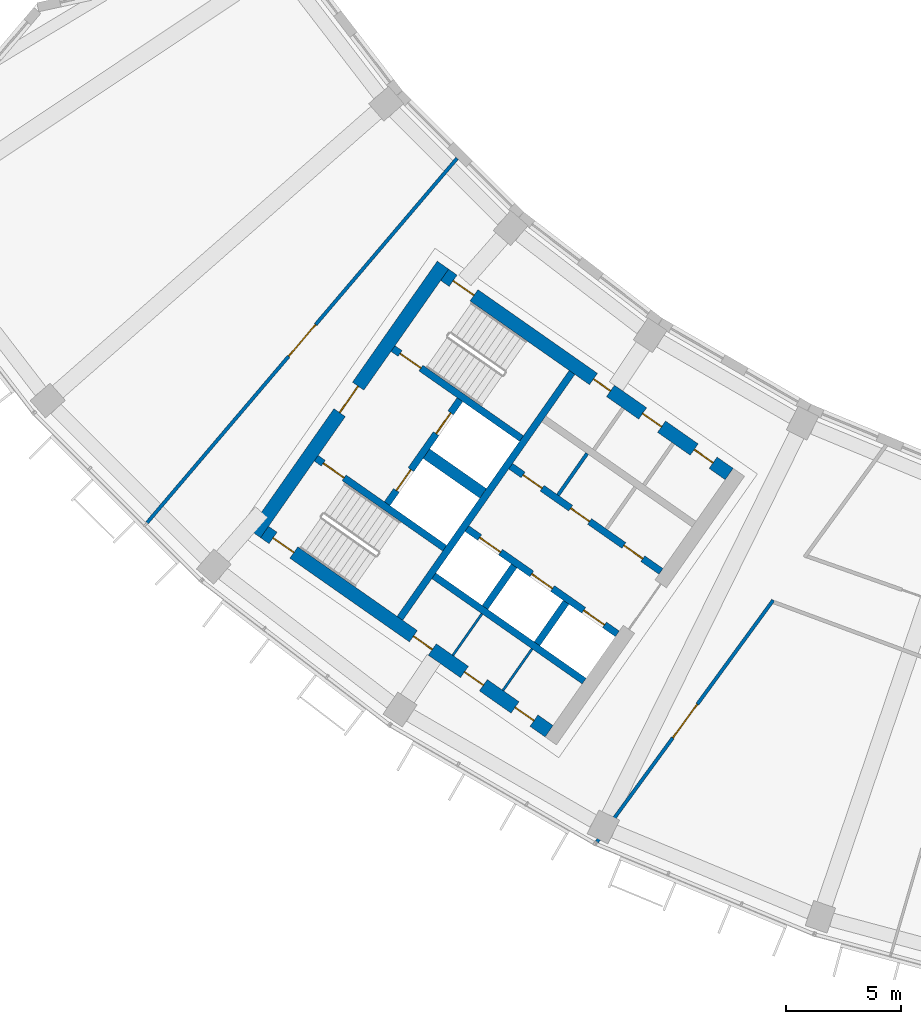
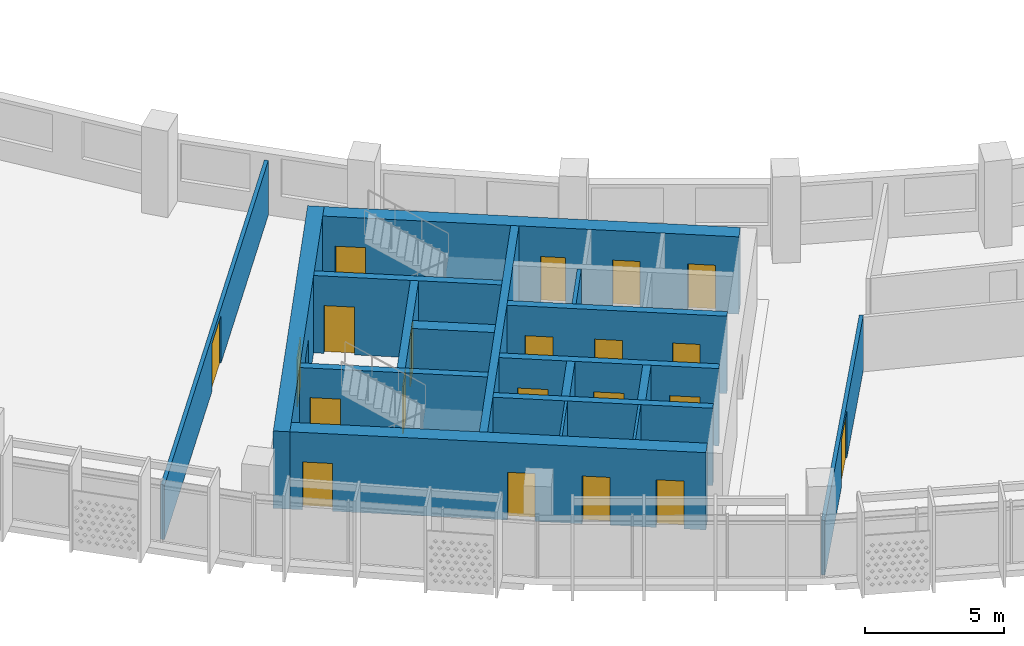
# One storey, part 3 of 28: 21 doors, 18 walls, 21 openings.
"""IFC4 building model written with IfcOpenShell, lengths in metres."""

from ifc_helpers import new_model, si_unit, direction, frame, frame_2d, origin, place, context, subcontext, project, spatial, rectangle, extrude, material, layer, layer_set, type_object, element, fill, save


model = new_model("IFC4")

# Units and contexts
model_context = context("Model", 3, precision=1e-05, world=origin(), true_north=direction((0.0, 1.0)))
body_context = subcontext(model_context, "Body", "Model", "MODEL_VIEW")
ifc_project = project(units=[si_unit("LENGTHUNIT", "METRE"), si_unit("AREAUNIT", "SQUARE_METRE"), si_unit("VOLUMEUNIT", "CUBIC_METRE"), si_unit("PLANEANGLEUNIT", "RADIAN"), si_unit("MASSUNIT", "GRAM", prefix="KILO")], contexts=[model_context])

# Site, building, storey
site_placement = place(None, origin())
site = spatial("IfcSite", under=ifc_project, at=site_placement, CompositionType="ELEMENT")
building_placement = place(site_placement, origin())
building = spatial("IfcBuilding", under=site, at=building_placement, Name="Qamariyya Broadcast Tower", CompositionType="ELEMENT")
storey_placement = place(building_placement, frame((0.0, 0.0, 249.300048828125)))
storey = spatial("IfcBuildingStorey", under=building, at=storey_placement, Name="L60", CompositionType="ELEMENT", Elevation=249.300048828125)

# Wall, opening, door
ifc_material_1 = material(Name="Concrete C60/75", Category="concrete")
ifc_layer_1 = layer(ifc_material_1, 0.60009765625)
ifc_layer_set_1 = layer_set([ifc_layer_1], Name="Core wall 600 mm Concrete C60/75")
wall_type_1 = type_object("IfcWallType", Name="Core wall 600 mm Concrete C60/75", PredefinedType="SHEAR", material=ifc_layer_set_1)
wall_1_placement = place(storey_placement, frame((-49.4833984375, -57.031494140625, 0.0), z_axis=(0.0, 0.0, 1.0), x_axis=(0.573560421458, 0.819163257805, 0.0)))
wall_1 = element("IfcWall", 1, at=wall_1_placement, inside=storey, type_object=wall_type_1, Name="k-W-L60-WH", PredefinedType="SHEAR", context=body_context, shape_type="SweptSolid", body=[
    extrude(rectangle(XDim=14.199951171875, YDim=0.60009765625, at=frame_2d((7.10009765625, 0.0))), origin(), (0.0, 0.0, 1.0), 3.39990234375),
])
opening_1_placement = place(wall_1_placement, frame((6.39990234375, 0.0, 0.0)))
opening_1 = element("IfcOpeningElement", 2, at=opening_1_placement, cuts=wall_1, Name="Opening KD2-W1", PredefinedType="OPENING", context=body_context, shape_type="SweptSolid", body=[
    extrude(rectangle(XDim=1.39990234375, YDim=2.10009765625, at=frame_2d((0.699951171875, 1.050048828125))), frame((0.0, 0.31005859375, 0.0), z_axis=(0.0, -1.0, 0.0), x_axis=(1.0, 0.0, 0.0)), (0.0, 0.0, 1.0), 0.6201171875),
])
ifc_material_2 = material(Name="Steel fire-resisting door leaf", Category="steel")
door_type_1 = type_object("IfcDoorType", Name="Fire-fighting lobby door KD2", OperationType="DOUBLE_DOOR_SINGLE_SWING", PredefinedType="DOOR", material=ifc_material_2)
door_1_placement = place(opening_1_placement, origin())
door_1 = element("IfcDoor", 3, at=door_1_placement, inside=storey, type_object=door_type_1, Name="k-W-L60-WH-D16", OperationType="DOUBLE_DOOR_SINGLE_SWING", OverallHeight=2.10009765625, OverallWidth=1.39990234375, PredefinedType="DOOR", context=body_context, shape_type="SweptSolid", body=[
    extrude(rectangle(XDim=1.39990234375, YDim=2.10009765625, at=frame_2d((0.699951171875, 1.050048828125))), frame((0.0, 0.02490234375, 0.0), z_axis=(0.0, -1.0, 0.0), x_axis=(1.0, 0.0, 0.0)), (0.0, 0.0, 1.0), 0.050048828125),
])
fill(opening_1, door_1)

# Wall, openings, doors
wall_2_placement = place(storey_placement, frame((-28.940673828125, -54.447021484375, 0.0), z_axis=(0.0, 0.0, 1.0), x_axis=(-0.819153391756, 0.573574511963, 0.0)))
wall_2 = element("IfcWall", 4, at=wall_2_placement, inside=storey, type_object=wall_type_1, Name="k-W-L60-WI", PredefinedType="SHEAR", context=body_context, shape_type="SweptSolid", body=[
    extrude(rectangle(XDim=15.04541015625, YDim=0.60009765625, at=frame_2d((7.522705078125, 0.0))), origin(), (0.0, 0.0, 1.0), 3.39990234375),
])
opening_2_placement = place(wall_2_placement, frame((0.85009765625, 0.0, 0.0)))
opening_2 = element("IfcOpeningElement", 5, at=opening_2_placement, cuts=wall_2, Name="Opening KD6-W3", PredefinedType="OPENING", context=body_context, shape_type="SweptSolid", body=[
    extrude(rectangle(XDim=1.0, YDim=2.10009765625, at=frame_2d((0.5, 1.050048828125))), frame((0.0, 0.31005859375, 0.0), z_axis=(0.0, -1.0, 0.0), x_axis=(1.0, 0.0, 0.0)), (0.0, 0.0, 1.0), 0.6201171875),
])
opening_3_placement = place(wall_2_placement, frame((3.574951171875, 0.0, 0.0)))
opening_3 = element("IfcOpeningElement", 6, at=opening_3_placement, cuts=wall_2, Name="Opening KD7-W1", PredefinedType="OPENING", context=body_context, shape_type="SweptSolid", body=[
    extrude(rectangle(XDim=1.0, YDim=2.10009765625, at=frame_2d((0.5, 1.050048828125))), frame((0.0, 0.31005859375, 0.0), z_axis=(0.0, -1.0, 0.0), x_axis=(1.0, 0.0, 0.0)), (0.0, 0.0, 1.0), 0.6201171875),
])
opening_4_placement = place(wall_2_placement, frame((6.27490234375, 0.0, 0.0)))
opening_4 = element("IfcOpeningElement", 7, at=opening_4_placement, cuts=wall_2, Name="Opening KD5-W1", PredefinedType="OPENING", context=body_context, shape_type="SweptSolid", body=[
    extrude(rectangle(XDim=0.89990234375, YDim=2.10009765625, at=frame_2d((0.449951171875, 1.050048828125))), frame((0.0, 0.31005859375, 0.0), z_axis=(0.0, -1.0, 0.0), x_axis=(1.0, 0.0, 0.0)), (0.0, 0.0, 1.0), 0.6201171875),
])
opening_5_placement = place(wall_2_placement, frame((13.495361328125, 0.0, 0.0)))
opening_5 = element("IfcOpeningElement", 8, at=opening_5_placement, cuts=wall_2, Name="Opening KD1-W1", PredefinedType="OPENING", context=body_context, shape_type="SweptSolid", body=[
    extrude(rectangle(XDim=1.10009765625, YDim=2.10009765625, at=frame_2d((0.550048828125, 1.050048828125))), frame((0.0, 0.31005859375, 0.0), z_axis=(0.0, -1.0, 0.0), x_axis=(1.0, 0.0, 0.0)), (0.0, 0.0, 1.0), 0.6201171875),
])
door_type_2 = type_object("IfcDoorType", Name="Accessible toilet door KD7", OperationType="SINGLE_SWING_LEFT", PredefinedType="DOOR", material=ifc_material_2)
door_2_placement = place(opening_3_placement, origin())
door_2 = element("IfcDoor", 9, at=door_2_placement, inside=storey, type_object=door_type_2, Name="k-W-L60-WI-D9", OperationType="SINGLE_SWING_RIGHT", OverallHeight=2.10009765625, OverallWidth=1.0, PredefinedType="DOOR", context=body_context, shape_type="SweptSolid", body=[
    extrude(rectangle(XDim=1.0, YDim=2.10009765625, at=frame_2d((0.5, 1.050048828125))), frame((0.0, 0.02490234375, 0.0), z_axis=(0.0, -1.0, 0.0), x_axis=(1.0, 0.0, 0.0)), (0.0, 0.0, 1.0), 0.050048828125),
])
fill(opening_3, door_2)
door_type_3 = type_object("IfcDoorType", Name="Core room door KD6", OperationType="SINGLE_SWING_LEFT", PredefinedType="DOOR", material=ifc_material_2)
door_3_placement = place(opening_2_placement, origin())
door_3 = element("IfcDoor", 10, at=door_3_placement, inside=storey, type_object=door_type_3, Name="k-W-L60-WI-D8", OperationType="SINGLE_SWING_LEFT", OverallHeight=2.10009765625, OverallWidth=1.0, PredefinedType="DOOR", context=body_context, shape_type="SweptSolid", body=[
    extrude(rectangle(XDim=1.0, YDim=2.10009765625, at=frame_2d((0.5, 1.050048828125))), frame((0.0, 0.02490234375, 0.0), z_axis=(0.0, -1.0, 0.0), x_axis=(1.0, 0.0, 0.0)), (0.0, 0.0, 1.0), 0.050048828125),
])
fill(opening_2, door_3)
door_type_4 = type_object("IfcDoorType", Name="Stair door KD1", OperationType="SINGLE_SWING_LEFT", PredefinedType="DOOR", material=ifc_material_2)
door_4_placement = place(opening_5_placement, origin())
door_4 = element("IfcDoor", 11, at=door_4_placement, inside=storey, type_object=door_type_4, Name="k-W-L60-WI-D17", OperationType="SINGLE_SWING_RIGHT", OverallHeight=2.10009765625, OverallWidth=1.10009765625, PredefinedType="DOOR", context=body_context, shape_type="SweptSolid", body=[
    extrude(rectangle(XDim=1.10009765625, YDim=2.10009765625, at=frame_2d((0.550048828125, 1.050048828125))), frame((0.0, 0.02490234375, 0.0), z_axis=(0.0, -1.0, 0.0), x_axis=(1.0, 0.0, 0.0)), (0.0, 0.0, 1.0), 0.050048828125),
])
fill(opening_5, door_4)
door_type_5 = type_object("IfcDoorType", Name="Toilet door KD5", OperationType="SINGLE_SWING_LEFT", PredefinedType="DOOR", material=ifc_material_2)
door_5_placement = place(opening_4_placement, origin())
door_5 = element("IfcDoor", 12, at=door_5_placement, inside=storey, type_object=door_type_5, Name="k-W-L60-WI-D10", OperationType="SINGLE_SWING_LEFT", OverallHeight=2.10009765625, OverallWidth=0.89990234375, PredefinedType="DOOR", context=body_context, shape_type="SweptSolid", body=[
    extrude(rectangle(XDim=0.89990234375, YDim=2.10009765625, at=frame_2d((0.449951171875, 1.050048828125))), frame((0.0, 0.02490234375, 0.0), z_axis=(0.0, -1.0, 0.0), x_axis=(1.0, 0.0, 0.0)), (0.0, 0.0, 1.0), 0.050048828125),
])
fill(opening_4, door_5)

wall_3_placement = place(storey_placement, frame((-36.7412109375, -65.58740234375, 0.0), z_axis=(0.0, 0.0, 1.0), x_axis=(-0.819153391756, 0.573574511963, 0.0)))
wall_3 = element("IfcWall", 13, at=wall_3_placement, inside=storey, type_object=wall_type_1, Name="k-W-L60-WO", PredefinedType="SHEAR", context=body_context, shape_type="SweptSolid", body=[
    extrude(rectangle(XDim=15.04541015625, YDim=0.60009765625, at=frame_2d((7.522705078125, 0.0))), origin(), (0.0, 0.0, 1.0), 3.39990234375),
])
opening_6_placement = place(wall_3_placement, frame((0.800048828125, 0.0, 0.0)))
opening_6 = element("IfcOpeningElement", 14, at=opening_6_placement, cuts=wall_3, Name="Opening KD4-W2", PredefinedType="OPENING", context=body_context, shape_type="SweptSolid", body=[
    extrude(rectangle(XDim=1.0, YDim=2.10009765625, at=frame_2d((0.5, 1.050048828125))), frame((0.0, 0.31005859375, 0.0), z_axis=(0.0, -1.0, 0.0), x_axis=(1.0, 0.0, 0.0)), (0.0, 0.0, 1.0), 0.6201171875),
])
opening_7_placement = place(wall_3_placement, frame((3.47509765625, 0.0, 0.0)))
opening_7 = element("IfcOpeningElement", 15, at=opening_7_placement, cuts=wall_3, Name="Opening KD4-W3", PredefinedType="OPENING", context=body_context, shape_type="SweptSolid", body=[
    extrude(rectangle(XDim=1.0, YDim=2.10009765625, at=frame_2d((0.5, 1.050048828125))), frame((0.0, 0.31005859375, 0.0), z_axis=(0.0, -1.0, 0.0), x_axis=(1.0, 0.0, 0.0)), (0.0, 0.0, 1.0), 0.6201171875),
])
opening_8_placement = place(wall_3_placement, frame((6.175048828125, 0.0, 0.0)))
opening_8 = element("IfcOpeningElement", 16, at=opening_8_placement, cuts=wall_3, Name="Opening KD4-W4", PredefinedType="OPENING", context=body_context, shape_type="SweptSolid", body=[
    extrude(rectangle(XDim=1.0, YDim=2.10009765625, at=frame_2d((0.5, 1.050048828125))), frame((0.0, 0.31005859375, 0.0), z_axis=(0.0, -1.0, 0.0), x_axis=(1.0, 0.0, 0.0)), (0.0, 0.0, 1.0), 0.6201171875),
])
opening_9_placement = place(wall_3_placement, frame((13.495361328125, 0.0, 0.0)))
opening_9 = element("IfcOpeningElement", 17, at=opening_9_placement, cuts=wall_3, Name="Opening KD1-W3", PredefinedType="OPENING", context=body_context, shape_type="SweptSolid", body=[
    extrude(rectangle(XDim=1.10009765625, YDim=2.10009765625, at=frame_2d((0.550048828125, 1.050048828125))), frame((0.0, 0.31005859375, 0.0), z_axis=(0.0, -1.0, 0.0), x_axis=(1.0, 0.0, 0.0)), (0.0, 0.0, 1.0), 0.6201171875),
])
door_type_6 = type_object("IfcDoorType", Name="Riser and plant door KD4", OperationType="SINGLE_SWING_LEFT", PredefinedType="DOOR", material=ifc_material_2)
door_6_placement = place(opening_6_placement, origin())
door_6 = element("IfcDoor", 18, at=door_6_placement, inside=storey, type_object=door_type_6, Name="k-W-L60-WO-D11", OperationType="SINGLE_SWING_RIGHT", OverallHeight=2.10009765625, OverallWidth=1.0, PredefinedType="DOOR", context=body_context, shape_type="SweptSolid", body=[
    extrude(rectangle(XDim=1.0, YDim=2.10009765625, at=frame_2d((0.5, 1.050048828125))), frame((0.0, 0.02490234375, 0.0), z_axis=(0.0, -1.0, 0.0), x_axis=(1.0, 0.0, 0.0)), (0.0, 0.0, 1.0), 0.050048828125),
])
fill(opening_6, door_6)
door_7_placement = place(opening_7_placement, origin())
door_7 = element("IfcDoor", 19, at=door_7_placement, inside=storey, type_object=door_type_6, Name="k-W-L60-WO-D12", OperationType="SINGLE_SWING_LEFT", OverallHeight=2.10009765625, OverallWidth=1.0, PredefinedType="DOOR", context=body_context, shape_type="SweptSolid", body=[
    extrude(rectangle(XDim=1.0, YDim=2.10009765625, at=frame_2d((0.5, 1.050048828125))), frame((0.0, 0.02490234375, 0.0), z_axis=(0.0, -1.0, 0.0), x_axis=(1.0, 0.0, 0.0)), (0.0, 0.0, 1.0), 0.050048828125),
])
fill(opening_7, door_7)
door_8_placement = place(opening_8_placement, origin())
door_8 = element("IfcDoor", 20, at=door_8_placement, inside=storey, type_object=door_type_6, Name="k-W-L60-WO-D13", OperationType="SINGLE_SWING_RIGHT", OverallHeight=2.10009765625, OverallWidth=1.0, PredefinedType="DOOR", context=body_context, shape_type="SweptSolid", body=[
    extrude(rectangle(XDim=1.0, YDim=2.10009765625, at=frame_2d((0.5, 1.050048828125))), frame((0.0, 0.02490234375, 0.0), z_axis=(0.0, -1.0, 0.0), x_axis=(1.0, 0.0, 0.0)), (0.0, 0.0, 1.0), 0.050048828125),
])
fill(opening_8, door_8)
door_9_placement = place(opening_9_placement, origin())
door_9 = element("IfcDoor", 21, at=door_9_placement, inside=storey, type_object=door_type_4, Name="k-W-L60-WO-D19", OperationType="SINGLE_SWING_LEFT", OverallHeight=2.10009765625, OverallWidth=1.10009765625, PredefinedType="DOOR", context=body_context, shape_type="SweptSolid", body=[
    extrude(rectangle(XDim=1.10009765625, YDim=2.10009765625, at=frame_2d((0.550048828125, 1.050048828125))), frame((0.0, 0.02490234375, 0.0), z_axis=(0.0, -1.0, 0.0), x_axis=(1.0, 0.0, 0.0)), (0.0, 0.0, 1.0), 0.050048828125),
])
fill(opening_9, door_9)

# Wall, opening, door
ifc_material_3 = material(Name="Gypsum board partition")
ifc_layer_2 = layer(ifc_material_3, 0.14990234375)
ifc_layer_set_2 = layer_set([ifc_layer_2], Name="Corridor partition 150 EI 60")
wall_type_2 = type_object("IfcWallType", Name="Corridor partition 150 EI 60", PredefinedType="PARTITIONING", material=ifc_layer_set_2)
wall_4_placement = place(storey_placement, frame((-54.15283203125, -56.554931640625, 0.0), z_axis=(0.0, 0.0, 1.0), x_axis=(0.647962636986, 0.761672121762, 0.0)))
wall_4 = element("IfcWall", 22, at=wall_4_placement, inside=storey, type_object=wall_type_2, Name="Partition L60-001", PredefinedType="PARTITIONING", context=body_context, shape_type="SweptSolid", body=[
    extrude(rectangle(XDim=20.723388671875, YDim=0.14990234375, at=frame_2d((10.36181640625, 0.0))), origin(), (0.0, 0.0, 1.0), 2.39990234375),
])
opening_10_placement = place(wall_4_placement, frame((9.461669921875, 0.0, 0.0)))
opening_10 = element("IfcOpeningElement", 23, at=opening_10_placement, cuts=wall_4, Name="Opening L60-D13", PredefinedType="OPENING", context=body_context, shape_type="SweptSolid", body=[
    extrude(rectangle(XDim=1.800048828125, YDim=2.10009765625, at=frame_2d((0.89990234375, 1.050048828125))), frame((0.0, 0.0849609375, 0.0), z_axis=(0.0, -1.0, 0.0), x_axis=(1.0, 0.0, 0.0)), (0.0, 0.0, 1.0), 0.169921875),
])
ifc_material_4 = material(Name="Timber fire door leaf", Category="wood")
door_type_7 = type_object("IfcDoorType", Name="Double fire door 1800 x 2100 FD60", OperationType="NOTDEFINED", PredefinedType="DOOR", material=ifc_material_4)
door_10_placement = place(opening_10_placement, origin())
door_10 = element("IfcDoor", 24, at=door_10_placement, inside=storey, type_object=door_type_7, Name="Door L60-D13", OperationType="DOUBLE_DOOR_SINGLE_SWING", OverallHeight=2.10009765625, OverallWidth=1.800048828125, PredefinedType="DOOR", context=body_context, shape_type="SweptSolid", body=[
    extrude(rectangle(XDim=1.800048828125, YDim=2.10009765625, at=frame_2d((0.89990234375, 1.050048828125))), frame((0.0, 0.02490234375, 0.0), z_axis=(0.0, -1.0, 0.0), x_axis=(1.0, 0.0, 0.0)), (0.0, 0.0, 1.0), 0.050048828125),
])
fill(opening_10, door_10)

wall_5_placement = place(storey_placement, frame((-27.033447265625, -59.90966796875, 0.0), z_axis=(0.0, 0.0, 1.0), x_axis=(-0.589273648147, -0.807933516819, 0.0)))
wall_5 = element("IfcWall", 25, at=wall_5_placement, inside=storey, type_object=wall_type_2, Name="Partition L60-002", PredefinedType="PARTITIONING", context=body_context, shape_type="SweptSolid", body=[
    extrude(rectangle(XDim=12.956298828125, YDim=0.14990234375, at=frame_2d((6.47802734375, 0.0))), origin(), (0.0, 0.0, 1.0), 2.39990234375),
])
opening_11_placement = place(wall_5_placement, frame((5.578125, 0.0, 0.0)))
opening_11 = element("IfcOpeningElement", 26, at=opening_11_placement, cuts=wall_5, Name="Opening L60-D01", PredefinedType="OPENING", context=body_context, shape_type="SweptSolid", body=[
    extrude(rectangle(XDim=1.800048828125, YDim=2.10009765625, at=frame_2d((0.89990234375, 1.050048828125))), frame((0.0, 0.0849609375, 0.0), z_axis=(0.0, -1.0, 0.0), x_axis=(1.0, 0.0, 0.0)), (0.0, 0.0, 1.0), 0.169921875),
])
door_11_placement = place(opening_11_placement, origin())
door_11 = element("IfcDoor", 27, at=door_11_placement, inside=storey, type_object=door_type_7, Name="Door L60-D01", OperationType="DOUBLE_DOOR_SINGLE_SWING", OverallHeight=2.10009765625, OverallWidth=1.800048828125, PredefinedType="DOOR", context=body_context, shape_type="SweptSolid", body=[
    extrude(rectangle(XDim=1.800048828125, YDim=2.10009765625, at=frame_2d((0.89990234375, 1.050048828125))), frame((0.0, 0.02490234375, 0.0), z_axis=(0.0, -1.0, 0.0), x_axis=(1.0, 0.0, 0.0)), (0.0, 0.0, 1.0), 0.050048828125),
])
fill(opening_11, door_11)

# Walls
ifc_layer_3 = layer(ifc_material_1, 0.5)
ifc_layer_set_3 = layer_set([ifc_layer_3], Name="Fire-fighting lobby divider wall 500 mm Concrete C60/75")
wall_type_3 = type_object("IfcWallType", Name="Fire-fighting lobby divider wall 500 mm Concrete C60/75", PredefinedType="SOLIDWALL", material=ifc_layer_set_3)
wall_6_placement = place(storey_placement, frame((-39.59912109375, -55.28515625, 0.0), z_axis=(0.0, 0.0, 1.0), x_axis=(-0.819136323161, 0.573598887793, 0.0)))
element("IfcWall", 28, at=wall_6_placement, inside=storey, type_object=wall_type_3, Name="k-W-L60-FD", PredefinedType="SOLIDWALL", context=body_context, shape_type="SweptSolid", body=[
    extrude(rectangle(XDim=2.999755859375, YDim=0.5, at=frame_2d((1.5, 0.0))), origin(), (0.0, 0.0, 1.0), 3.39990234375),
])
ifc_material_5 = material(Name="Gypsum board partition on steel studs", Category="steel")
ifc_layer_4 = layer(ifc_material_5, 0.14990234375)
ifc_layer_set_4 = layer_set([ifc_layer_4], Name="Gypsum board partition 150 mm")
wall_type_4 = type_object("IfcWallType", Name="Gypsum board partition 150 mm", PredefinedType="PARTITIONING", material=ifc_layer_set_4)
wall_7_placement = place(storey_placement, frame((-36.35498046875, -55.359375, 0.0), z_axis=(0.0, 0.0, 1.0), x_axis=(0.573581496053, 0.819148501424, 0.0)))
element("IfcWall", 29, at=wall_7_placement, inside=storey, type_object=wall_type_4, Name="k-W-L60-NC555", PredefinedType="PARTITIONING", context=body_context, shape_type="SweptSolid", body=[
    extrude(rectangle(XDim=2.2001953125, YDim=0.14990234375, at=frame_2d((1.10009765625, 0.0))), origin(), (0.0, 0.0, 1.0), 3.39990234375),
])
ifc_layer_5 = layer(ifc_material_1, 0.300048828125)
ifc_layer_set_5 = layer_set([ifc_layer_5], Name="Lift shaft wall 300 mm Concrete C60/75")
wall_type_5 = type_object("IfcWallType", Name="Lift shaft wall 300 mm Concrete C60/75", PredefinedType="SOLIDWALL", material=ifc_layer_set_5)
wall_8_placement = place(storey_placement, frame((-43.204345703125, -60.69580078125, 0.0), z_axis=(0.0, 0.0, 1.0), x_axis=(0.573571992966, 0.819155155563, 0.0)))
element("IfcWall", 30, at=wall_8_placement, inside=storey, type_object=wall_type_5, Name="k-W-L60-WL", PredefinedType="SOLIDWALL", context=body_context, shape_type="SweptSolid", body=[
    extrude(rectangle(XDim=13.000244140625, YDim=0.300048828125, at=frame_2d((6.5, 0.0))), origin(), (0.0, 0.0, 1.0), 3.39990234375),
])

# Wall, openings, doors
wall_9_placement = place(storey_placement, frame((-31.89453125, -58.66552734375, 0.0), z_axis=(0.0, 0.0, 1.0), x_axis=(-0.819166993208, 0.573555086491, 0.0)))
wall_9 = element("IfcWall", 31, at=wall_9_placement, inside=storey, type_object=wall_type_5, Name="k-W-L60-NF0", PredefinedType="SOLIDWALL", context=body_context, shape_type="SweptSolid", body=[
    extrude(rectangle(XDim=7.9501953125, YDim=0.300048828125, at=frame_2d((3.97509765625, 0.0))), origin(), (0.0, 0.0, 1.0), 3.39990234375),
])
opening_12_placement = place(wall_9_placement, frame((0.96240234375, 0.0, 0.0)))
opening_12 = element("IfcOpeningElement", 32, at=opening_12_placement, cuts=wall_9, Name="Opening KD4-W1", PredefinedType="OPENING", context=body_context, shape_type="SweptSolid", body=[
    extrude(rectangle(XDim=1.0, YDim=2.10009765625, at=frame_2d((0.5, 1.050048828125))), frame((0.0, 0.159912109375, 0.0), z_axis=(0.0, -1.0, 0.0), x_axis=(1.0, 0.0, 0.0)), (0.0, 0.0, 1.0), 0.320068359375),
])
opening_13_placement = place(wall_9_placement, frame((3.77490234375, 0.0, 0.0)))
opening_13 = element("IfcOpeningElement", 33, at=opening_13_placement, cuts=wall_9, Name="Opening KD6-W1", PredefinedType="OPENING", context=body_context, shape_type="SweptSolid", body=[
    extrude(rectangle(XDim=1.0, YDim=2.10009765625, at=frame_2d((0.5, 1.050048828125))), frame((0.0, 0.159912109375, 0.0), z_axis=(0.0, -1.0, 0.0), x_axis=(1.0, 0.0, 0.0)), (0.0, 0.0, 1.0), 0.320068359375),
])
opening_14_placement = place(wall_9_placement, frame((6.28759765625, 0.0, 0.0)))
opening_14 = element("IfcOpeningElement", 34, at=opening_14_placement, cuts=wall_9, Name="Opening KD6-W2", PredefinedType="OPENING", context=body_context, shape_type="SweptSolid", body=[
    extrude(rectangle(XDim=1.0, YDim=2.10009765625, at=frame_2d((0.5, 1.050048828125))), frame((0.0, 0.159912109375, 0.0), z_axis=(0.0, -1.0, 0.0), x_axis=(1.0, 0.0, 0.0)), (0.0, 0.0, 1.0), 0.320068359375),
])
door_12_placement = place(opening_13_placement, origin())
door_12 = element("IfcDoor", 35, at=door_12_placement, inside=storey, type_object=door_type_3, Name="k-W-L60-NF0-D3", OperationType="SINGLE_SWING_RIGHT", OverallHeight=2.10009765625, OverallWidth=1.0, PredefinedType="DOOR", context=body_context, shape_type="SweptSolid", body=[
    extrude(rectangle(XDim=1.0, YDim=2.10009765625, at=frame_2d((0.5, 1.050048828125))), frame((0.0, 0.02490234375, 0.0), z_axis=(0.0, -1.0, 0.0), x_axis=(1.0, 0.0, 0.0)), (0.0, 0.0, 1.0), 0.050048828125),
])
fill(opening_13, door_12)
door_13_placement = place(opening_14_placement, origin())
door_13 = element("IfcDoor", 36, at=door_13_placement, inside=storey, type_object=door_type_3, Name="k-W-L60-NF0-D4", OperationType="SINGLE_SWING_LEFT", OverallHeight=2.10009765625, OverallWidth=1.0, PredefinedType="DOOR", context=body_context, shape_type="SweptSolid", body=[
    extrude(rectangle(XDim=1.0, YDim=2.10009765625, at=frame_2d((0.5, 1.050048828125))), frame((0.0, 0.02490234375, 0.0), z_axis=(0.0, -1.0, 0.0), x_axis=(1.0, 0.0, 0.0)), (0.0, 0.0, 1.0), 0.050048828125),
])
fill(opening_14, door_13)
door_14_placement = place(opening_12_placement, origin())
door_14 = element("IfcDoor", 37, at=door_14_placement, inside=storey, type_object=door_type_6, Name="k-W-L60-NF0-D2", OperationType="SINGLE_SWING_LEFT", OverallHeight=2.10009765625, OverallWidth=1.0, PredefinedType="DOOR", context=body_context, shape_type="SweptSolid", body=[
    extrude(rectangle(XDim=1.0, YDim=2.10009765625, at=frame_2d((0.5, 1.050048828125))), frame((0.0, 0.02490234375, 0.0), z_axis=(0.0, -1.0, 0.0), x_axis=(1.0, 0.0, 0.0)), (0.0, 0.0, 1.0), 0.050048828125),
])
fill(opening_12, door_14)

wall_10_placement = place(storey_placement, frame((-33.787353515625, -61.368896484375, 0.0), z_axis=(0.0, 0.0, 1.0), x_axis=(-0.819152564888, 0.573575692858, 0.0)))
wall_10 = element("IfcWall", 38, at=wall_10_placement, inside=storey, type_object=wall_type_5, Name="k-W-L60-SF0", PredefinedType="SOLIDWALL", context=body_context, shape_type="SweptSolid", body=[
    extrude(rectangle(XDim=7.9501953125, YDim=0.300048828125, at=frame_2d((3.97509765625, 0.0))), origin(), (0.0, 0.0, 1.0), 3.39990234375),
])
opening_15_placement = place(wall_10_placement, frame((0.675048828125, 0.0, 0.0)))
opening_15 = element("IfcOpeningElement", 39, at=opening_15_placement, cuts=wall_10, Name="Opening LD", PredefinedType="OPENING", context=body_context, shape_type="SweptSolid", body=[
    extrude(rectangle(XDim=1.10009765625, YDim=2.10009765625, at=frame_2d((0.550048828125, 1.050048828125))), frame((0.0, 0.159912109375, 0.0), z_axis=(0.0, -1.0, 0.0), x_axis=(1.0, 0.0, 0.0)), (0.0, 0.0, 1.0), 0.320068359375),
])
opening_16_placement = place(wall_10_placement, frame((3.425048828125, 0.0, 0.0)))
opening_16 = element("IfcOpeningElement", 40, at=opening_16_placement, cuts=wall_10, Name="Opening LD", PredefinedType="OPENING", context=body_context, shape_type="SweptSolid", body=[
    extrude(rectangle(XDim=1.10009765625, YDim=2.10009765625, at=frame_2d((0.550048828125, 1.050048828125))), frame((0.0, 0.159912109375, 0.0), z_axis=(0.0, -1.0, 0.0), x_axis=(1.0, 0.0, 0.0)), (0.0, 0.0, 1.0), 0.320068359375),
])
opening_17_placement = place(wall_10_placement, frame((6.175048828125, 0.0, 0.0)))
opening_17 = element("IfcOpeningElement", 41, at=opening_17_placement, cuts=wall_10, Name="Opening LD", PredefinedType="OPENING", context=body_context, shape_type="SweptSolid", body=[
    extrude(rectangle(XDim=1.10009765625, YDim=2.10009765625, at=frame_2d((0.550048828125, 1.050048828125))), frame((0.0, 0.159912109375, 0.0), z_axis=(0.0, -1.0, 0.0), x_axis=(1.0, 0.0, 0.0)), (0.0, 0.0, 1.0), 0.320068359375),
])
door_type_8 = type_object("IfcDoorType", Name="Lift landing door LD", OperationType="DOUBLE_DOOR_SLIDING", PredefinedType="DOOR", material=ifc_material_2)
door_15_placement = place(opening_15_placement, origin())
door_15 = element("IfcDoor", 42, at=door_15_placement, inside=storey, type_object=door_type_8, Name="k-W-L60-SF0-D5", OperationType="DOUBLE_DOOR_SLIDING", OverallHeight=2.10009765625, OverallWidth=1.10009765625, PredefinedType="DOOR", context=body_context, shape_type="SweptSolid", body=[
    extrude(rectangle(XDim=1.10009765625, YDim=2.10009765625, at=frame_2d((0.550048828125, 1.050048828125))), frame((0.0, 0.02490234375, 0.0), z_axis=(0.0, -1.0, 0.0), x_axis=(1.0, 0.0, 0.0)), (0.0, 0.0, 1.0), 0.050048828125),
])
fill(opening_15, door_15)
door_16_placement = place(opening_16_placement, origin())
door_16 = element("IfcDoor", 43, at=door_16_placement, inside=storey, type_object=door_type_8, Name="k-W-L60-SF0-D6", OperationType="DOUBLE_DOOR_SLIDING", OverallHeight=2.10009765625, OverallWidth=1.10009765625, PredefinedType="DOOR", context=body_context, shape_type="SweptSolid", body=[
    extrude(rectangle(XDim=1.10009765625, YDim=2.10009765625, at=frame_2d((0.550048828125, 1.050048828125))), frame((0.0, 0.02490234375, 0.0), z_axis=(0.0, -1.0, 0.0), x_axis=(1.0, 0.0, 0.0)), (0.0, 0.0, 1.0), 0.050048828125),
])
fill(opening_16, door_16)
door_17_placement = place(opening_17_placement, origin())
door_17 = element("IfcDoor", 44, at=door_17_placement, inside=storey, type_object=door_type_8, Name="k-W-L60-SF0-D7", OperationType="DOUBLE_DOOR_SLIDING", OverallHeight=2.10009765625, OverallWidth=1.10009765625, PredefinedType="DOOR", context=body_context, shape_type="SweptSolid", body=[
    extrude(rectangle(XDim=1.10009765625, YDim=2.10009765625, at=frame_2d((0.550048828125, 1.050048828125))), frame((0.0, 0.02490234375, 0.0), z_axis=(0.0, -1.0, 0.0), x_axis=(1.0, 0.0, 0.0)), (0.0, 0.0, 1.0), 0.050048828125),
])
fill(opening_17, door_17)

# Walls
wall_11_placement = place(storey_placement, frame((-35.22119140625, -63.41650390625, 0.0), z_axis=(0.0, 0.0, 1.0), x_axis=(-0.819166993208, 0.573555086491, 0.0)))
element("IfcWall", 45, at=wall_11_placement, inside=storey, type_object=wall_type_5, Name="k-W-L60-SB0", PredefinedType="SOLIDWALL", context=body_context, shape_type="SweptSolid", body=[
    extrude(rectangle(XDim=7.9501953125, YDim=0.300048828125, at=frame_2d((3.97509765625, 0.0))), origin(), (0.0, 0.0, 1.0), 3.39990234375),
])
wall_12_placement = place(storey_placement, frame((-36.003173828125, -60.000244140625, 0.0), z_axis=(0.0, 0.0, 1.0), x_axis=(-0.573581496053, -0.819148501424, 0.0)))
element("IfcWall", 46, at=wall_12_placement, inside=storey, type_object=wall_type_5, Name="k-W-L60-SD0", PredefinedType="SOLIDWALL", context=body_context, shape_type="SweptSolid", body=[
    extrude(rectangle(XDim=2.2001953125, YDim=0.300048828125, at=frame_2d((1.10009765625, 0.0))), origin(), (0.0, 0.0, 1.0), 3.39990234375),
])
wall_13_placement = place(storey_placement, frame((-38.255859375, -58.423095703125, 0.0), z_axis=(0.0, 0.0, 1.0), x_axis=(-0.573633636671, -0.819111989218, 0.0)))
element("IfcWall", 47, at=wall_13_placement, inside=storey, type_object=wall_type_5, Name="k-W-L60-SD1", PredefinedType="SOLIDWALL", context=body_context, shape_type="SweptSolid", body=[
    extrude(rectangle(XDim=2.199951171875, YDim=0.300048828125, at=frame_2d((1.10009765625, 0.0))), origin(), (0.0, 0.0, 1.0), 3.39990234375),
])

# Wall, opening, door
wall_14_placement = place(storey_placement, frame((-37.935546875, -52.90966796875, 0.0), z_axis=(0.0, 0.0, 1.0), x_axis=(-0.819147518138, 0.57358290031, 0.0)))
wall_14 = element("IfcWall", 48, at=wall_14_placement, inside=storey, type_object=wall_type_5, Name="k-W-L60-NW", PredefinedType="SOLIDWALL", context=body_context, shape_type="SweptSolid", body=[
    extrude(rectangle(XDim=6.79541015625, YDim=0.300048828125, at=frame_2d((3.397705078125, 0.0))), origin(), (0.0, 0.0, 1.0), 3.39990234375),
])
opening_18_placement = place(wall_14_placement, frame((5.3203125, 0.0, 0.0)))
opening_18 = element("IfcOpeningElement", 49, at=opening_18_placement, cuts=wall_14, Name="Opening KD1-W2", PredefinedType="OPENING", context=body_context, shape_type="SweptSolid", body=[
    extrude(rectangle(XDim=1.10009765625, YDim=2.10009765625, at=frame_2d((0.550048828125, 1.050048828125))), frame((0.0, 0.159912109375, 0.0), z_axis=(0.0, -1.0, 0.0), x_axis=(1.0, 0.0, 0.0)), (0.0, 0.0, 1.0), 0.320068359375),
])
door_18_placement = place(opening_18_placement, origin())
door_18 = element("IfcDoor", 50, at=door_18_placement, inside=storey, type_object=door_type_4, Name="k-W-L60-NW-D18", OperationType="SINGLE_SWING_LEFT", OverallHeight=2.10009765625, OverallWidth=1.10009765625, PredefinedType="DOOR", context=body_context, shape_type="SweptSolid", body=[
    extrude(rectangle(XDim=1.10009765625, YDim=2.10009765625, at=frame_2d((0.550048828125, 1.050048828125))), frame((0.0, 0.02490234375, 0.0), z_axis=(0.0, -1.0, 0.0), x_axis=(1.0, 0.0, 0.0)), (0.0, 0.0, 1.0), 0.050048828125),
])
fill(opening_18, door_18)

wall_15_placement = place(storey_placement, frame((-41.262451171875, -57.66064453125, 0.0), z_axis=(0.0, 0.0, 1.0), x_axis=(-0.819164398642, 0.573558792102, 0.0)))
wall_15 = element("IfcWall", 51, at=wall_15_placement, inside=storey, type_object=wall_type_5, Name="k-W-L60-SW", PredefinedType="SOLIDWALL", context=body_context, shape_type="SweptSolid", body=[
    extrude(rectangle(XDim=6.795166015625, YDim=0.300048828125, at=frame_2d((3.3974609375, 0.0))), origin(), (0.0, 0.0, 1.0), 3.39990234375),
])
opening_19_placement = place(wall_15_placement, frame((5.3203125, 0.0, 0.0)))
opening_19 = element("IfcOpeningElement", 52, at=opening_19_placement, cuts=wall_15, Name="Opening KD1-W4", PredefinedType="OPENING", context=body_context, shape_type="SweptSolid", body=[
    extrude(rectangle(XDim=1.10009765625, YDim=2.10009765625, at=frame_2d((0.550048828125, 1.050048828125))), frame((0.0, 0.159912109375, 0.0), z_axis=(0.0, -1.0, 0.0), x_axis=(1.0, 0.0, 0.0)), (0.0, 0.0, 1.0), 0.320068359375),
])
door_19_placement = place(opening_19_placement, origin())
door_19 = element("IfcDoor", 53, at=door_19_placement, inside=storey, type_object=door_type_4, Name="k-W-L60-SW-D20", OperationType="SINGLE_SWING_LEFT", OverallHeight=2.10009765625, OverallWidth=1.10009765625, PredefinedType="DOOR", context=body_context, shape_type="SweptSolid", body=[
    extrude(rectangle(XDim=1.10009765625, YDim=2.10009765625, at=frame_2d((0.550048828125, 1.050048828125))), frame((0.0, 0.02490234375, 0.0), z_axis=(0.0, -1.0, 0.0), x_axis=(1.0, 0.0, 0.0)), (0.0, 0.0, 1.0), 0.050048828125),
])
fill(opening_19, door_19)

# Wall, openings, doors
wall_16_placement = place(storey_placement, frame((-43.756591796875, -55.731201171875, 0.0), z_axis=(0.0, 0.0, 1.0), x_axis=(0.573536818435, 0.819179783625, 0.0)))
wall_16 = element("IfcWall", 54, at=wall_16_placement, inside=storey, type_object=wall_type_5, Name="k-W-L60-FF", PredefinedType="SOLIDWALL", context=body_context, shape_type="SweptSolid", body=[
    extrude(rectangle(XDim=5.500244140625, YDim=0.300048828125, at=frame_2d((2.75, 0.0))), origin(), (0.0, 0.0, 1.0), 3.39990234375),
])
opening_20_placement = place(wall_16_placement, frame((0.699951171875, 0.0, 0.0)))
opening_20 = element("IfcOpeningElement", 55, at=opening_20_placement, cuts=wall_16, Name="Opening LD", PredefinedType="OPENING", context=body_context, shape_type="SweptSolid", body=[
    extrude(rectangle(XDim=1.10009765625, YDim=2.10009765625, at=frame_2d((0.550048828125, 1.050048828125))), frame((0.0, 0.159912109375, 0.0), z_axis=(0.0, -1.0, 0.0), x_axis=(1.0, 0.0, 0.0)), (0.0, 0.0, 1.0), 0.320068359375),
])
opening_21_placement = place(wall_16_placement, frame((3.699951171875, 0.0, 0.0)))
opening_21 = element("IfcOpeningElement", 56, at=opening_21_placement, cuts=wall_16, Name="Opening LD", PredefinedType="OPENING", context=body_context, shape_type="SweptSolid", body=[
    extrude(rectangle(XDim=1.10009765625, YDim=2.10009765625, at=frame_2d((0.550048828125, 1.050048828125))), frame((0.0, 0.159912109375, 0.0), z_axis=(0.0, -1.0, 0.0), x_axis=(1.0, 0.0, 0.0)), (0.0, 0.0, 1.0), 0.320068359375),
])
door_20_placement = place(opening_20_placement, origin())
door_20 = element("IfcDoor", 57, at=door_20_placement, inside=storey, type_object=door_type_8, Name="k-W-L60-FF-D14", OperationType="DOUBLE_DOOR_SLIDING", OverallHeight=2.10009765625, OverallWidth=1.10009765625, PredefinedType="DOOR", context=body_context, shape_type="SweptSolid", body=[
    extrude(rectangle(XDim=1.10009765625, YDim=2.10009765625, at=frame_2d((0.550048828125, 1.050048828125))), frame((0.0, 0.02490234375, 0.0), z_axis=(0.0, -1.0, 0.0), x_axis=(1.0, 0.0, 0.0)), (0.0, 0.0, 1.0), 0.050048828125),
])
fill(opening_20, door_20)
door_21_placement = place(opening_21_placement, origin())
door_21 = element("IfcDoor", 58, at=door_21_placement, inside=storey, type_object=door_type_8, Name="k-W-L60-FF-D15", OperationType="DOUBLE_DOOR_SLIDING", OverallHeight=2.10009765625, OverallWidth=1.10009765625, PredefinedType="DOOR", context=body_context, shape_type="SweptSolid", body=[
    extrude(rectangle(XDim=1.10009765625, YDim=2.10009765625, at=frame_2d((0.550048828125, 1.050048828125))), frame((0.0, 0.02490234375, 0.0), z_axis=(0.0, -1.0, 0.0), x_axis=(1.0, 0.0, 0.0)), (0.0, 0.0, 1.0), 0.050048828125),
])
fill(opening_21, door_21)

# Walls
ifc_material_6 = material(Name="Fire-rated gypsum shaft liner on steel studs", Category="steel")
ifc_layer_6 = layer(ifc_material_6, 0.10009765625)
ifc_layer_set_6 = layer_set([ifc_layer_6], Name="Riser wall 100 mm")
wall_type_6 = type_object("IfcWallType", Name="Riser wall 100 mm", PredefinedType="PLUMBINGWALL", material=ifc_layer_set_6)
wall_17_placement = place(storey_placement, frame((-37.47802734375, -62.01953125, 0.0), z_axis=(0.0, 0.0, 1.0), x_axis=(-0.573581496053, -0.819148501424, 0.0)))
element("IfcWall", 59, at=wall_17_placement, inside=storey, type_object=wall_type_6, Name="k-W-L60-SP265", PredefinedType="PLUMBINGWALL", context=body_context, shape_type="SweptSolid", body=[
    extrude(rectangle(XDim=2.2001953125, YDim=0.10009765625, at=frame_2d((1.10009765625, 0.0))), origin(), (0.0, 0.0, 1.0), 3.39990234375),
])
wall_18_placement = place(storey_placement, frame((-39.64892578125, -60.49951171875, 0.0), z_axis=(0.0, 0.0, 1.0), x_axis=(-0.573507030513, -0.819200638399, 0.0)))
element("IfcWall", 60, at=wall_18_placement, inside=storey, type_object=wall_type_6, Name="k-W-L60-SP530", PredefinedType="PLUMBINGWALL", context=body_context, shape_type="SweptSolid", body=[
    extrude(rectangle(XDim=2.199951171875, YDim=0.10009765625, at=frame_2d((1.10009765625, 0.0))), origin(), (0.0, 0.0, 1.0), 3.39990234375),
])

save(model, "model.ifc")
